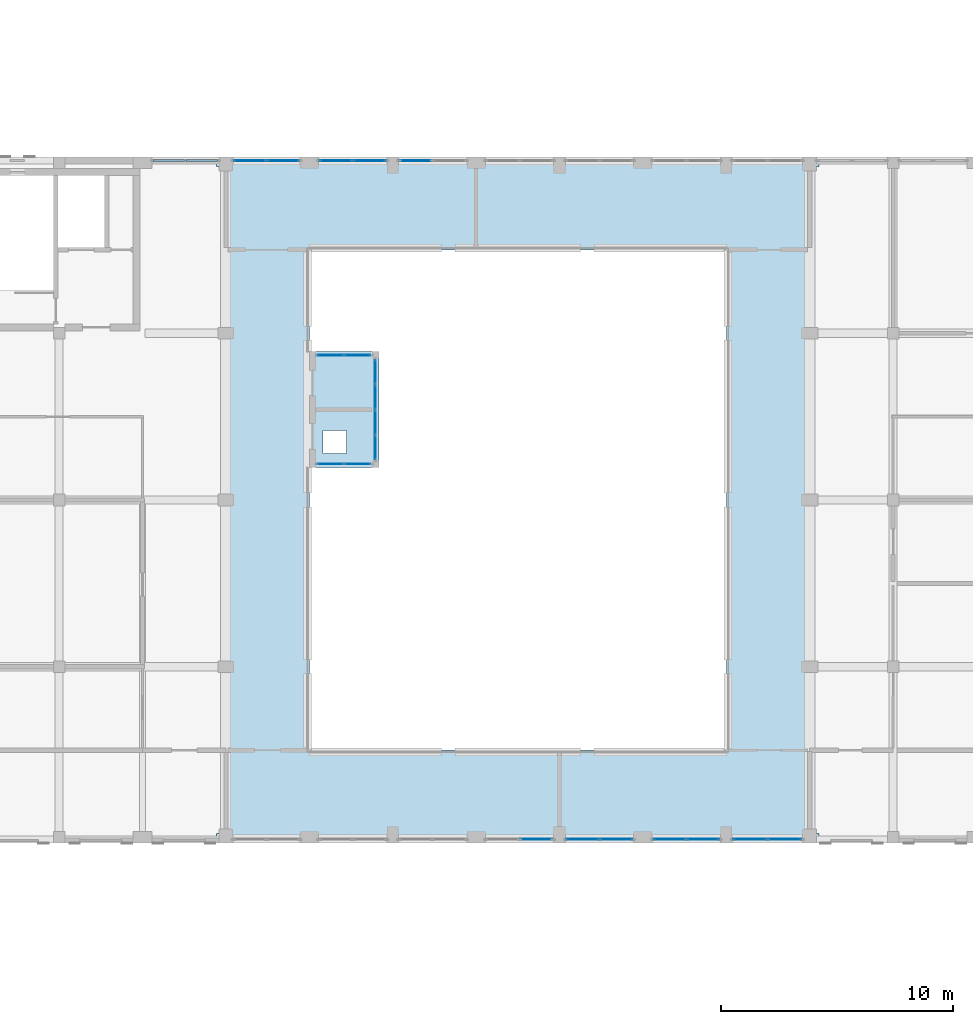
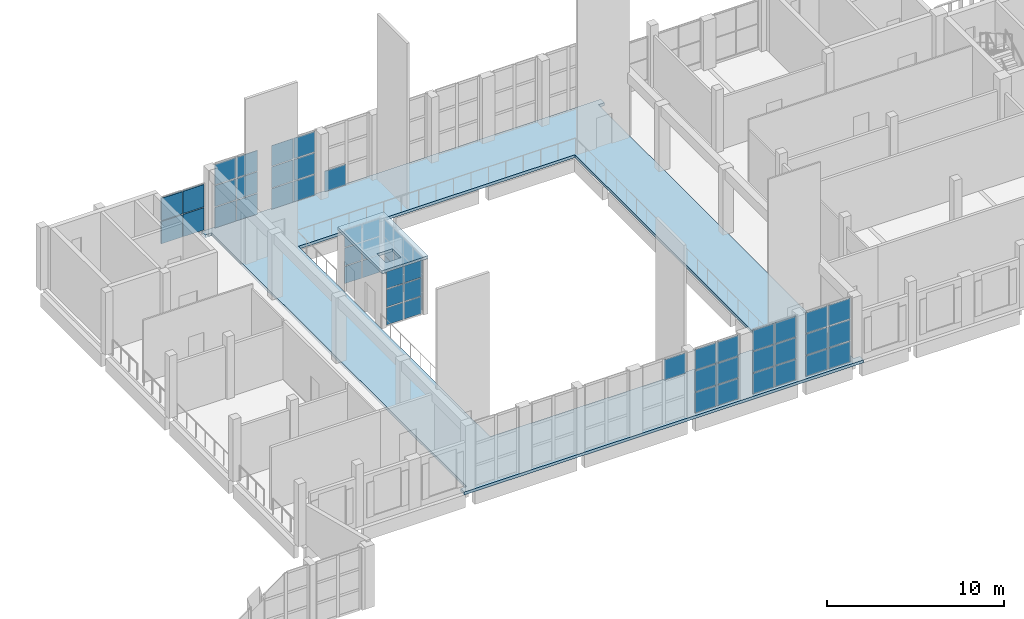
# One storey, part 15 of 54: 60 plates, 2 slabs, 11 elements without a shape of their own.
"""IFC4 building model written with IfcOpenShell, lengths in metres."""

from ifc_helpers import new_model, si_unit, direction, frame, origin, origin_2d, place, context, subcontext, project, spatial, polyline, rectangle, outline, extrude, material, layer, layer_set, type_object, element, aggregate, save


model = new_model("IFC4")

# Units and contexts
model_context = context("Model", 3, precision=1e-05, world=origin(), true_north=direction((0.0, 1.0)))
body_context = subcontext(model_context, "Body", "Model", "MODEL_VIEW")
ifc_project = project(units=[si_unit("LENGTHUNIT", "METRE"), si_unit("AREAUNIT", "SQUARE_METRE"), si_unit("VOLUMEUNIT", "CUBIC_METRE"), si_unit("PLANEANGLEUNIT", "RADIAN"), si_unit("MASSUNIT", "GRAM", prefix="KILO")], contexts=[model_context])

# Site, building, storey
site_placement = place(None, origin())
site = spatial("IfcSite", under=ifc_project, at=site_placement, CompositionType="ELEMENT")
building_placement = place(site_placement, origin())
building = spatial("IfcBuilding", under=site, at=building_placement, Name="Ussher Court Research Institute", CompositionType="ELEMENT")
storey_placement = place(building_placement, frame((0.0, 0.0, 14.39990234375)))
storey = spatial("IfcBuildingStorey", under=building, at=storey_placement, Name="L03", CompositionType="ELEMENT", Elevation=14.39990234375)

# Slab
ifc_material_1 = material(Name="Concrete C35/45", Category="concrete")
ifc_layer_1 = layer(ifc_material_1, 0.199951171875)
ifc_layer_set_1 = layer_set([ifc_layer_1], Name="Concrete C35/45")
slab_type_1 = type_object("IfcSlabType", Name="Core roof slab 200 RC", PredefinedType="ROOF", material=ifc_layer_set_1)
slab_1_placement = place(storey_placement, frame((0.0, 0.0, 3.800048828125)))
element("IfcSlab", 1, at=slab_1_placement, inside=storey, type_object=slab_type_1, Name="Lift overrun slab atrium", PredefinedType="ROOF", context=body_context, shape_type="SweptSolid", body=[
    extrude(outline(polyline([(42.60009765625, 27.0), (45.60009765625, 27.0), (45.60009765625, 32.0), (42.60009765625, 32.0), (42.60009765625, 27.0)]), holes=[polyline([(43.199951171875, 27.60009765625), (44.199951171875, 27.60009765625), (44.199951171875, 28.60009765625), (43.199951171875, 28.60009765625), (43.199951171875, 27.60009765625)])]), origin(), (0.0, 0.0, 1.0), 0.199951171875),
])

# Curtain wall, plates
ifc_material_2 = material(Name="Bronze anodised aluminium with fire-resisting glass", Category="aluminium")
ifc_layer_2 = layer(ifc_material_2, 0.1201171875)
ifc_layer_set_2 = layer_set([ifc_layer_2], Name="Bronze anodised aluminium with fire-resisting glass")
curtain_wall_type_1 = type_object("IfcCurtainWallType", Name="Curtain wall stair-side fire-resisting glazing", PredefinedType="NOTDEFINED", material=ifc_layer_set_2)
curtain_wall_1_placement = place(storey_placement, origin())
curtain_wall_1 = element("IfcCurtainWall", 2, at=curtain_wall_1_placement, inside=storey, type_object=curtain_wall_type_1, Name="Curtain wall CW13 L03", PredefinedType="NOTDEFINED")
ifc_material_3 = material(Name="Fire-resisting laminated glazed unit")
ifc_layer_3 = layer(ifc_material_3, 0.090087890625)
ifc_layer_set_3 = layer_set([ifc_layer_3], Name="Fire-resisting laminated glazed unit")
plate_type_1 = type_object("IfcPlateType", Name="Fire-resisting glazing panel EI 60 90 mm", PredefinedType="CURTAIN_PANEL", material=ifc_layer_set_3)
plate_1_placement = place(storey_placement, frame((36.5400390625, 40.25, 0.2099609375), z_axis=(0.0, 0.0, 1.0), x_axis=(1.0, 0.0, 0.0)))
plate_1 = element("IfcPlate", 3, at=plate_1_placement, type_object=plate_type_1, Name="CW13 panel 1.1", PredefinedType="CURTAIN_PANEL", context=body_context, shape_type="SweptSolid", body=[
    extrude(rectangle(XDim=1.360107421875, YDim=0.090087890625, at=origin_2d()), origin(), (0.0, 0.0, 1.0), 1.534912109375),
])
plate_2_placement = place(storey_placement, frame((36.5400390625, 40.25, 1.80517578125), z_axis=(0.0, 0.0, 1.0), x_axis=(1.0, 0.0, 0.0)))
plate_2 = element("IfcPlate", 4, at=plate_2_placement, type_object=plate_type_1, Name="CW13 panel 1.2", PredefinedType="CURTAIN_PANEL", context=body_context, shape_type="SweptSolid", body=[
    extrude(rectangle(XDim=1.360107421875, YDim=0.090087890625, at=origin_2d()), origin(), (0.0, 0.0, 1.0), 1.534912109375),
])
plate_3_placement = place(storey_placement, frame((37.9599609375, 40.25, 0.2099609375), z_axis=(0.0, 0.0, 1.0), x_axis=(1.0, 0.0, 0.0)))
plate_3 = element("IfcPlate", 5, at=plate_3_placement, type_object=plate_type_1, Name="CW13 panel 2.1", PredefinedType="CURTAIN_PANEL", context=body_context, shape_type="SweptSolid", body=[
    extrude(rectangle(XDim=1.360107421875, YDim=0.090087890625, at=origin_2d()), origin(), (0.0, 0.0, 1.0), 1.534912109375),
])
plate_4_placement = place(storey_placement, frame((37.9599609375, 40.25, 1.80517578125), z_axis=(0.0, 0.0, 1.0), x_axis=(1.0, 0.0, 0.0)))
plate_4 = element("IfcPlate", 6, at=plate_4_placement, type_object=plate_type_1, Name="CW13 panel 2.2", PredefinedType="CURTAIN_PANEL", context=body_context, shape_type="SweptSolid", body=[
    extrude(rectangle(XDim=1.360107421875, YDim=0.090087890625, at=origin_2d()), origin(), (0.0, 0.0, 1.0), 1.534912109375),
])
aggregate(curtain_wall_1, [plate_1, plate_2, plate_3, plate_4])

# Slab
ifc_material_4 = material(Name="Concrete C35/45", Category="concrete")
ifc_layer_4 = layer(ifc_material_4, 0.199951171875)
ifc_layer_set_4 = layer_set([ifc_layer_4], Name="Concrete C35/45")
slab_type_2 = type_object("IfcSlabType", Name="Floor slab 200", PredefinedType="FLOOR", material=ifc_layer_set_4)
slab_2_placement = place(storey_placement, frame((0.0, 0.0, -0.199951171875)))
element("IfcSlab", 7, at=slab_2_placement, inside=storey, type_object=slab_type_2, Name="FS200 V2 L03-01", PredefinedType="FLOOR", context=body_context, shape_type="SweptSolid", body=[
    extrude(outline(polyline([(39.0, 40.0), (39.0, 11.199951171875), (38.60009765625, 11.199951171875), (38.60009765625, 10.800048828125), (64.60009765625, 10.800048828125), (64.60009765625, 11.199951171875), (64.199951171875, 11.199951171875), (64.199951171875, 40.0), (64.60009765625, 40.0), (64.60009765625, 40.39990234375), (38.60009765625, 40.39990234375), (38.60009765625, 40.0), (39.0, 40.0)]), holes=[polyline([(42.60009765625, 36.39990234375), (60.60009765625, 36.39990234375), (60.60009765625, 14.800048828125), (42.60009765625, 14.800048828125), (42.60009765625, 36.39990234375)])]), origin(), (0.0, 0.0, 1.0), 0.199951171875),
])

# Curtain wall, plates
ifc_material_5 = material(Name="Bronze anodised aluminium with low-e glass", Category="aluminium")
ifc_layer_5 = layer(ifc_material_5, 0.1201171875)
ifc_layer_set_5 = layer_set([ifc_layer_5], Name="Bronze anodised aluminium with low-e glass")
curtain_wall_type_2 = type_object("IfcCurtainWallType", Name="Curtain wall atrium clear glazing", PredefinedType="NOTDEFINED", material=ifc_layer_set_5)
curtain_wall_2_placement = place(storey_placement, origin())
curtain_wall_2 = element("IfcCurtainWall", 8, at=curtain_wall_2_placement, inside=storey, type_object=curtain_wall_type_2, Name="Curtain wall CW2 lift shaft L03", PredefinedType="NOTDEFINED")
ifc_material_6 = material(Name="Double glazed unit")
ifc_layer_6 = layer(ifc_material_6, 0.028076171875)
ifc_layer_set_6 = layer_set([ifc_layer_6], Name="Double glazed unit")
plate_type_2 = type_object("IfcPlateType", Name="Glazing panel 28 mm", PredefinedType="CURTAIN_PANEL", material=ifc_layer_set_6)
plate_5_placement = place(storey_placement, frame((43.514892578125, 27.14990234375, 0.06005859375), z_axis=(0.0, 0.0, 1.0), x_axis=(1.0, 0.0, 0.0)))
plate_5 = element("IfcPlate", 9, at=plate_5_placement, type_object=plate_type_2, Name="CW2 panel 1.1", PredefinedType="CURTAIN_PANEL", context=body_context, shape_type="SweptSolid", body=[
    extrude(rectangle(XDim=1.110107421875, YDim=0.028076171875, at=origin_2d()), origin(), (0.0, 0.0, 1.0), 1.1767578125),
])
plate_6_placement = place(storey_placement, frame((43.514892578125, 27.14990234375, 1.296875), z_axis=(0.0, 0.0, 1.0), x_axis=(1.0, 0.0, 0.0)))
plate_6 = element("IfcPlate", 10, at=plate_6_placement, type_object=plate_type_2, Name="CW2 panel 1.2", PredefinedType="CURTAIN_PANEL", context=body_context, shape_type="SweptSolid", body=[
    extrude(rectangle(XDim=1.110107421875, YDim=0.028076171875, at=origin_2d()), origin(), (0.0, 0.0, 1.0), 1.20654296875),
])
plate_7_placement = place(storey_placement, frame((43.514892578125, 27.14990234375, 2.5634765625), z_axis=(0.0, 0.0, 1.0), x_axis=(1.0, 0.0, 0.0)))
plate_7 = element("IfcPlate", 11, at=plate_7_placement, type_object=plate_type_2, Name="CW2 panel 1.3", PredefinedType="CURTAIN_PANEL", context=body_context, shape_type="SweptSolid", body=[
    extrude(rectangle(XDim=1.110107421875, YDim=0.028076171875, at=origin_2d()), origin(), (0.0, 0.0, 1.0), 1.1767578125),
])
plate_8_placement = place(storey_placement, frame((44.68505859375, 27.14990234375, 0.06005859375), z_axis=(0.0, 0.0, 1.0), x_axis=(1.0, 0.0, 0.0)))
plate_8 = element("IfcPlate", 12, at=plate_8_placement, type_object=plate_type_2, Name="CW2 panel 2.1", PredefinedType="CURTAIN_PANEL", context=body_context, shape_type="SweptSolid", body=[
    extrude(rectangle(XDim=1.110107421875, YDim=0.028076171875, at=origin_2d()), origin(), (0.0, 0.0, 1.0), 1.1767578125),
])
plate_9_placement = place(storey_placement, frame((44.68505859375, 27.14990234375, 1.296875), z_axis=(0.0, 0.0, 1.0), x_axis=(1.0, 0.0, 0.0)))
plate_9 = element("IfcPlate", 13, at=plate_9_placement, type_object=plate_type_2, Name="CW2 panel 2.2", PredefinedType="CURTAIN_PANEL", context=body_context, shape_type="SweptSolid", body=[
    extrude(rectangle(XDim=1.110107421875, YDim=0.028076171875, at=origin_2d()), origin(), (0.0, 0.0, 1.0), 1.20654296875),
])
plate_10_placement = place(storey_placement, frame((44.68505859375, 27.14990234375, 2.5634765625), z_axis=(0.0, 0.0, 1.0), x_axis=(1.0, 0.0, 0.0)))
plate_10 = element("IfcPlate", 14, at=plate_10_placement, type_object=plate_type_2, Name="CW2 panel 2.3", PredefinedType="CURTAIN_PANEL", context=body_context, shape_type="SweptSolid", body=[
    extrude(rectangle(XDim=1.110107421875, YDim=0.028076171875, at=origin_2d()), origin(), (0.0, 0.0, 1.0), 1.1767578125),
])
aggregate(curtain_wall_2, [plate_5, plate_6, plate_7, plate_8, plate_9, plate_10])

curtain_wall_3_placement = place(storey_placement, origin())
curtain_wall_3 = element("IfcCurtainWall", 15, at=curtain_wall_3_placement, inside=storey, type_object=curtain_wall_type_2, Name="Curtain wall CW2 lift shaft L03", PredefinedType="NOTDEFINED")
plate_11_placement = place(storey_placement, frame((43.514892578125, 31.85009765625, 0.06005859375), z_axis=(0.0, 0.0, 1.0), x_axis=(1.0, 0.0, 0.0)))
plate_11 = element("IfcPlate", 16, at=plate_11_placement, type_object=plate_type_2, Name="CW2 panel 1.1", PredefinedType="CURTAIN_PANEL", context=body_context, shape_type="SweptSolid", body=[
    extrude(rectangle(XDim=1.110107421875, YDim=0.028076171875, at=origin_2d()), origin(), (0.0, 0.0, 1.0), 1.1767578125),
])
plate_12_placement = place(storey_placement, frame((43.514892578125, 31.85009765625, 1.296875), z_axis=(0.0, 0.0, 1.0), x_axis=(1.0, 0.0, 0.0)))
plate_12 = element("IfcPlate", 17, at=plate_12_placement, type_object=plate_type_2, Name="CW2 panel 1.2", PredefinedType="CURTAIN_PANEL", context=body_context, shape_type="SweptSolid", body=[
    extrude(rectangle(XDim=1.110107421875, YDim=0.028076171875, at=origin_2d()), origin(), (0.0, 0.0, 1.0), 1.20654296875),
])
plate_13_placement = place(storey_placement, frame((43.514892578125, 31.85009765625, 2.5634765625), z_axis=(0.0, 0.0, 1.0), x_axis=(1.0, 0.0, 0.0)))
plate_13 = element("IfcPlate", 18, at=plate_13_placement, type_object=plate_type_2, Name="CW2 panel 1.3", PredefinedType="CURTAIN_PANEL", context=body_context, shape_type="SweptSolid", body=[
    extrude(rectangle(XDim=1.110107421875, YDim=0.028076171875, at=origin_2d()), origin(), (0.0, 0.0, 1.0), 1.1767578125),
])
plate_14_placement = place(storey_placement, frame((44.68505859375, 31.85009765625, 0.06005859375), z_axis=(0.0, 0.0, 1.0), x_axis=(1.0, 0.0, 0.0)))
plate_14 = element("IfcPlate", 19, at=plate_14_placement, type_object=plate_type_2, Name="CW2 panel 2.1", PredefinedType="CURTAIN_PANEL", context=body_context, shape_type="SweptSolid", body=[
    extrude(rectangle(XDim=1.110107421875, YDim=0.028076171875, at=origin_2d()), origin(), (0.0, 0.0, 1.0), 1.1767578125),
])
plate_15_placement = place(storey_placement, frame((44.68505859375, 31.85009765625, 1.296875), z_axis=(0.0, 0.0, 1.0), x_axis=(1.0, 0.0, 0.0)))
plate_15 = element("IfcPlate", 20, at=plate_15_placement, type_object=plate_type_2, Name="CW2 panel 2.2", PredefinedType="CURTAIN_PANEL", context=body_context, shape_type="SweptSolid", body=[
    extrude(rectangle(XDim=1.110107421875, YDim=0.028076171875, at=origin_2d()), origin(), (0.0, 0.0, 1.0), 1.20654296875),
])
plate_16_placement = place(storey_placement, frame((44.68505859375, 31.85009765625, 2.5634765625), z_axis=(0.0, 0.0, 1.0), x_axis=(1.0, 0.0, 0.0)))
plate_16 = element("IfcPlate", 21, at=plate_16_placement, type_object=plate_type_2, Name="CW2 panel 2.3", PredefinedType="CURTAIN_PANEL", context=body_context, shape_type="SweptSolid", body=[
    extrude(rectangle(XDim=1.110107421875, YDim=0.028076171875, at=origin_2d()), origin(), (0.0, 0.0, 1.0), 1.1767578125),
])
aggregate(curtain_wall_3, [plate_11, plate_12, plate_13, plate_14, plate_15, plate_16])

curtain_wall_4_placement = place(storey_placement, origin())
curtain_wall_4 = element("IfcCurtainWall", 22, at=curtain_wall_4_placement, inside=storey, type_object=curtain_wall_type_2, Name="Curtain wall CW2 lift shaft L03", PredefinedType="NOTDEFINED")
plate_17_placement = place(storey_placement, frame((45.449951171875, 27.864990234375, 0.06005859375), z_axis=(0.0, 0.0, 1.0), x_axis=(0.0, 1.0, 0.0)))
plate_17 = element("IfcPlate", 23, at=plate_17_placement, type_object=plate_type_2, Name="CW2 panel 1.1", PredefinedType="CURTAIN_PANEL", context=body_context, shape_type="SweptSolid", body=[
    extrude(rectangle(XDim=1.010009765625, YDim=0.028076171875, at=origin_2d()), origin(), (0.0, 0.0, 1.0), 1.1767578125),
])
plate_18_placement = place(storey_placement, frame((45.449951171875, 27.864990234375, 1.296875), z_axis=(0.0, 0.0, 1.0), x_axis=(0.0, 1.0, 0.0)))
plate_18 = element("IfcPlate", 24, at=plate_18_placement, type_object=plate_type_2, Name="CW2 panel 1.2", PredefinedType="CURTAIN_PANEL", context=body_context, shape_type="SweptSolid", body=[
    extrude(rectangle(XDim=1.010009765625, YDim=0.028076171875, at=origin_2d()), origin(), (0.0, 0.0, 1.0), 1.20654296875),
])
plate_19_placement = place(storey_placement, frame((45.449951171875, 27.864990234375, 2.5634765625), z_axis=(0.0, 0.0, 1.0), x_axis=(0.0, 1.0, 0.0)))
plate_19 = element("IfcPlate", 25, at=plate_19_placement, type_object=plate_type_2, Name="CW2 panel 1.3", PredefinedType="CURTAIN_PANEL", context=body_context, shape_type="SweptSolid", body=[
    extrude(rectangle(XDim=1.010009765625, YDim=0.028076171875, at=origin_2d()), origin(), (0.0, 0.0, 1.0), 1.1767578125),
])
plate_20_placement = place(storey_placement, frame((45.449951171875, 28.949951171875, 0.06005859375), z_axis=(0.0, 0.0, 1.0), x_axis=(0.0, 1.0, 0.0)))
plate_20 = element("IfcPlate", 26, at=plate_20_placement, type_object=plate_type_2, Name="CW2 panel 2.1", PredefinedType="CURTAIN_PANEL", context=body_context, shape_type="SweptSolid", body=[
    extrude(rectangle(XDim=1.0400390625, YDim=0.028076171875, at=origin_2d()), origin(), (0.0, 0.0, 1.0), 1.1767578125),
])
plate_21_placement = place(storey_placement, frame((45.449951171875, 28.949951171875, 1.296875), z_axis=(0.0, 0.0, 1.0), x_axis=(0.0, 1.0, 0.0)))
plate_21 = element("IfcPlate", 27, at=plate_21_placement, type_object=plate_type_2, Name="CW2 panel 2.2", PredefinedType="CURTAIN_PANEL", context=body_context, shape_type="SweptSolid", body=[
    extrude(rectangle(XDim=1.0400390625, YDim=0.028076171875, at=origin_2d()), origin(), (0.0, 0.0, 1.0), 1.20654296875),
])
plate_22_placement = place(storey_placement, frame((45.449951171875, 28.949951171875, 2.5634765625), z_axis=(0.0, 0.0, 1.0), x_axis=(0.0, 1.0, 0.0)))
plate_22 = element("IfcPlate", 28, at=plate_22_placement, type_object=plate_type_2, Name="CW2 panel 2.3", PredefinedType="CURTAIN_PANEL", context=body_context, shape_type="SweptSolid", body=[
    extrude(rectangle(XDim=1.0400390625, YDim=0.028076171875, at=origin_2d()), origin(), (0.0, 0.0, 1.0), 1.1767578125),
])
plate_23_placement = place(storey_placement, frame((45.449951171875, 30.050048828125, 0.06005859375), z_axis=(0.0, 0.0, 1.0), x_axis=(0.0, 1.0, 0.0)))
plate_23 = element("IfcPlate", 29, at=plate_23_placement, type_object=plate_type_2, Name="CW2 panel 3.1", PredefinedType="CURTAIN_PANEL", context=body_context, shape_type="SweptSolid", body=[
    extrude(rectangle(XDim=1.0400390625, YDim=0.028076171875, at=origin_2d()), origin(), (0.0, 0.0, 1.0), 1.1767578125),
])
plate_24_placement = place(storey_placement, frame((45.449951171875, 30.050048828125, 1.296875), z_axis=(0.0, 0.0, 1.0), x_axis=(0.0, 1.0, 0.0)))
plate_24 = element("IfcPlate", 30, at=plate_24_placement, type_object=plate_type_2, Name="CW2 panel 3.2", PredefinedType="CURTAIN_PANEL", context=body_context, shape_type="SweptSolid", body=[
    extrude(rectangle(XDim=1.0400390625, YDim=0.028076171875, at=origin_2d()), origin(), (0.0, 0.0, 1.0), 1.20654296875),
])
plate_25_placement = place(storey_placement, frame((45.449951171875, 30.050048828125, 2.5634765625), z_axis=(0.0, 0.0, 1.0), x_axis=(0.0, 1.0, 0.0)))
plate_25 = element("IfcPlate", 31, at=plate_25_placement, type_object=plate_type_2, Name="CW2 panel 3.3", PredefinedType="CURTAIN_PANEL", context=body_context, shape_type="SweptSolid", body=[
    extrude(rectangle(XDim=1.0400390625, YDim=0.028076171875, at=origin_2d()), origin(), (0.0, 0.0, 1.0), 1.1767578125),
])
plate_26_placement = place(storey_placement, frame((45.449951171875, 31.135009765625, 0.06005859375), z_axis=(0.0, 0.0, 1.0), x_axis=(0.0, 1.0, 0.0)))
plate_26 = element("IfcPlate", 32, at=plate_26_placement, type_object=plate_type_2, Name="CW2 panel 4.1", PredefinedType="CURTAIN_PANEL", context=body_context, shape_type="SweptSolid", body=[
    extrude(rectangle(XDim=1.010009765625, YDim=0.028076171875, at=origin_2d()), origin(), (0.0, 0.0, 1.0), 1.1767578125),
])
plate_27_placement = place(storey_placement, frame((45.449951171875, 31.135009765625, 1.296875), z_axis=(0.0, 0.0, 1.0), x_axis=(0.0, 1.0, 0.0)))
plate_27 = element("IfcPlate", 33, at=plate_27_placement, type_object=plate_type_2, Name="CW2 panel 4.2", PredefinedType="CURTAIN_PANEL", context=body_context, shape_type="SweptSolid", body=[
    extrude(rectangle(XDim=1.010009765625, YDim=0.028076171875, at=origin_2d()), origin(), (0.0, 0.0, 1.0), 1.20654296875),
])
plate_28_placement = place(storey_placement, frame((45.449951171875, 31.135009765625, 2.5634765625), z_axis=(0.0, 0.0, 1.0), x_axis=(0.0, 1.0, 0.0)))
plate_28 = element("IfcPlate", 34, at=plate_28_placement, type_object=plate_type_2, Name="CW2 panel 4.3", PredefinedType="CURTAIN_PANEL", context=body_context, shape_type="SweptSolid", body=[
    extrude(rectangle(XDim=1.010009765625, YDim=0.028076171875, at=origin_2d()), origin(), (0.0, 0.0, 1.0), 1.1767578125),
])
aggregate(curtain_wall_4, [plate_17, plate_18, plate_19, plate_20, plate_21, plate_22, plate_23, plate_24, plate_25, plate_26, plate_27, plate_28])

ifc_material_7 = material(Name="Bronze anodised aluminium with low-e glass", Category="aluminium")
ifc_layer_7 = layer(ifc_material_7, 0.159912109375)
ifc_layer_set_7 = layer_set([ifc_layer_7], Name="Bronze anodised aluminium with low-e glass")
curtain_wall_type_3 = type_object("IfcCurtainWallType", Name="Curtain wall atrium clerestory tall glazing", PredefinedType="NOTDEFINED", material=ifc_layer_set_7)
curtain_wall_5_placement = place(storey_placement, origin())
curtain_wall_5 = element("IfcCurtainWall", 35, at=curtain_wall_5_placement, inside=storey, type_object=curtain_wall_type_3, Name="Curtain wall CW3 L03", PredefinedType="NOTDEFINED")
ifc_material_8 = material(Name="Double glazed unit laminated")
ifc_layer_8 = layer(ifc_material_8, 0.035888671875)
ifc_layer_set_8 = layer_set([ifc_layer_8], Name="Double glazed unit laminated")
plate_type_3 = type_object("IfcPlateType", Name="Glazing panel 36 mm", PredefinedType="CURTAIN_PANEL", material=ifc_layer_set_8)
plate_29_placement = place(storey_placement, frame((40.0400390625, 40.25, 0.06005859375), z_axis=(0.0, 0.0, 1.0), x_axis=(1.0, 0.0, 0.0)))
plate_29 = element("IfcPlate", 36, at=plate_29_placement, type_object=plate_type_3, Name="CW3 panel 1.1", PredefinedType="CURTAIN_PANEL", context=body_context, shape_type="SweptSolid", body=[
    extrude(rectangle(XDim=1.360107421875, YDim=0.035888671875, at=origin_2d()), origin(), (0.0, 0.0, 1.0), 1.409912109375),
])
plate_30_placement = place(storey_placement, frame((40.0400390625, 40.25, 1.530029296875), z_axis=(0.0, 0.0, 1.0), x_axis=(1.0, 0.0, 0.0)))
plate_30 = element("IfcPlate", 37, at=plate_30_placement, type_object=plate_type_3, Name="CW3 panel 1.2", PredefinedType="CURTAIN_PANEL", context=body_context, shape_type="SweptSolid", body=[
    extrude(rectangle(XDim=1.360107421875, YDim=0.035888671875, at=origin_2d()), origin(), (0.0, 0.0, 1.0), 1.43994140625),
])
plate_31_placement = place(storey_placement, frame((40.0400390625, 40.25, 3.0302734375), z_axis=(0.0, 0.0, 1.0), x_axis=(1.0, 0.0, 0.0)))
plate_31 = element("IfcPlate", 38, at=plate_31_placement, type_object=plate_type_3, Name="CW3 panel 1.3", PredefinedType="CURTAIN_PANEL", context=body_context, shape_type="SweptSolid", body=[
    extrude(rectangle(XDim=1.360107421875, YDim=0.035888671875, at=origin_2d()), origin(), (0.0, 0.0, 1.0), 1.409912109375),
])
plate_32_placement = place(storey_placement, frame((41.4599609375, 40.25, 0.06005859375), z_axis=(0.0, 0.0, 1.0), x_axis=(1.0, 0.0, 0.0)))
plate_32 = element("IfcPlate", 39, at=plate_32_placement, type_object=plate_type_3, Name="CW3 panel 2.1", PredefinedType="CURTAIN_PANEL", context=body_context, shape_type="SweptSolid", body=[
    extrude(rectangle(XDim=1.360107421875, YDim=0.035888671875, at=origin_2d()), origin(), (0.0, 0.0, 1.0), 1.409912109375),
])
plate_33_placement = place(storey_placement, frame((41.4599609375, 40.25, 1.530029296875), z_axis=(0.0, 0.0, 1.0), x_axis=(1.0, 0.0, 0.0)))
plate_33 = element("IfcPlate", 40, at=plate_33_placement, type_object=plate_type_3, Name="CW3 panel 2.2", PredefinedType="CURTAIN_PANEL", context=body_context, shape_type="SweptSolid", body=[
    extrude(rectangle(XDim=1.360107421875, YDim=0.035888671875, at=origin_2d()), origin(), (0.0, 0.0, 1.0), 1.43994140625),
])
plate_34_placement = place(storey_placement, frame((41.4599609375, 40.25, 3.0302734375), z_axis=(0.0, 0.0, 1.0), x_axis=(1.0, 0.0, 0.0)))
plate_34 = element("IfcPlate", 41, at=plate_34_placement, type_object=plate_type_3, Name="CW3 panel 2.3", PredefinedType="CURTAIN_PANEL", context=body_context, shape_type="SweptSolid", body=[
    extrude(rectangle(XDim=1.360107421875, YDim=0.035888671875, at=origin_2d()), origin(), (0.0, 0.0, 1.0), 1.409912109375),
])
aggregate(curtain_wall_5, [plate_29, plate_30, plate_31, plate_32, plate_33, plate_34])

curtain_wall_6_placement = place(storey_placement, origin())
curtain_wall_6 = element("IfcCurtainWall", 42, at=curtain_wall_6_placement, inside=storey, type_object=curtain_wall_type_3, Name="Curtain wall CW3 L03", PredefinedType="NOTDEFINED")
plate_35_placement = place(storey_placement, frame((43.75244140625, 40.25, 0.06005859375), z_axis=(0.0, 0.0, 1.0), x_axis=(1.0, 0.0, 0.0)))
plate_35 = element("IfcPlate", 43, at=plate_35_placement, type_object=plate_type_3, Name="CW3 panel 1.1", PredefinedType="CURTAIN_PANEL", context=body_context, shape_type="SweptSolid", body=[
    extrude(rectangle(XDim=1.385009765625, YDim=0.035888671875, at=origin_2d()), origin(), (0.0, 0.0, 1.0), 1.409912109375),
])
plate_36_placement = place(storey_placement, frame((43.75244140625, 40.25, 1.530029296875), z_axis=(0.0, 0.0, 1.0), x_axis=(1.0, 0.0, 0.0)))
plate_36 = element("IfcPlate", 44, at=plate_36_placement, type_object=plate_type_3, Name="CW3 panel 1.2", PredefinedType="CURTAIN_PANEL", context=body_context, shape_type="SweptSolid", body=[
    extrude(rectangle(XDim=1.385009765625, YDim=0.035888671875, at=origin_2d()), origin(), (0.0, 0.0, 1.0), 1.43994140625),
])
plate_37_placement = place(storey_placement, frame((43.75244140625, 40.25, 3.0302734375), z_axis=(0.0, 0.0, 1.0), x_axis=(1.0, 0.0, 0.0)))
plate_37 = element("IfcPlate", 45, at=plate_37_placement, type_object=plate_type_3, Name="CW3 panel 1.3", PredefinedType="CURTAIN_PANEL", context=body_context, shape_type="SweptSolid", body=[
    extrude(rectangle(XDim=1.385009765625, YDim=0.035888671875, at=origin_2d()), origin(), (0.0, 0.0, 1.0), 1.409912109375),
])
plate_38_placement = place(storey_placement, frame((45.197509765625, 40.25, 0.06005859375), z_axis=(0.0, 0.0, 1.0), x_axis=(1.0, 0.0, 0.0)))
plate_38 = element("IfcPlate", 46, at=plate_38_placement, type_object=plate_type_3, Name="CW3 panel 2.1", PredefinedType="CURTAIN_PANEL", context=body_context, shape_type="SweptSolid", body=[
    extrude(rectangle(XDim=1.385009765625, YDim=0.035888671875, at=origin_2d()), origin(), (0.0, 0.0, 1.0), 1.409912109375),
])
plate_39_placement = place(storey_placement, frame((45.197509765625, 40.25, 1.530029296875), z_axis=(0.0, 0.0, 1.0), x_axis=(1.0, 0.0, 0.0)))
plate_39 = element("IfcPlate", 47, at=plate_39_placement, type_object=plate_type_3, Name="CW3 panel 2.2", PredefinedType="CURTAIN_PANEL", context=body_context, shape_type="SweptSolid", body=[
    extrude(rectangle(XDim=1.385009765625, YDim=0.035888671875, at=origin_2d()), origin(), (0.0, 0.0, 1.0), 1.43994140625),
])
plate_40_placement = place(storey_placement, frame((45.197509765625, 40.25, 3.0302734375), z_axis=(0.0, 0.0, 1.0), x_axis=(1.0, 0.0, 0.0)))
plate_40 = element("IfcPlate", 48, at=plate_40_placement, type_object=plate_type_3, Name="CW3 panel 2.3", PredefinedType="CURTAIN_PANEL", context=body_context, shape_type="SweptSolid", body=[
    extrude(rectangle(XDim=1.385009765625, YDim=0.035888671875, at=origin_2d()), origin(), (0.0, 0.0, 1.0), 1.409912109375),
])
aggregate(curtain_wall_6, [plate_35, plate_36, plate_37, plate_38, plate_39, plate_40])

# Curtain wall, plate
curtain_wall_7_placement = place(storey_placement, origin())
curtain_wall_7 = element("IfcCurtainWall", 49, at=curtain_wall_7_placement, inside=storey, type_object=curtain_wall_type_3, Name="Curtain wall CW3 L03", PredefinedType="NOTDEFINED")
plate_41_placement = place(storey_placement, frame((47.202392578125, 40.25, 0.06005859375), z_axis=(0.0, 0.0, 1.0), x_axis=(1.0, 0.0, 0.0)))
plate_41 = element("IfcPlate", 50, at=plate_41_placement, type_object=plate_type_3, Name="CW3 panel 1.1", PredefinedType="CURTAIN_PANEL", context=body_context, shape_type="SweptSolid", body=[
    extrude(rectangle(XDim=1.385009765625, YDim=0.035888671875, at=origin_2d()), origin(), (0.0, 0.0, 1.0), 1.409912109375),
])
aggregate(curtain_wall_7, [plate_41])

# Curtain wall, plates
curtain_wall_8_placement = place(storey_placement, origin())
curtain_wall_8 = element("IfcCurtainWall", 51, at=curtain_wall_8_placement, inside=storey, type_object=curtain_wall_type_3, Name="Curtain wall CW3 L03", PredefinedType="NOTDEFINED")
plate_42_placement = place(storey_placement, frame((63.12255859375, 10.949951171875, 0.06005859375), z_axis=(0.0, 0.0, 1.0), x_axis=(-1.0, 0.0, 0.0)))
plate_42 = element("IfcPlate", 52, at=plate_42_placement, type_object=plate_type_3, Name="CW3 panel 1.1", PredefinedType="CURTAIN_PANEL", context=body_context, shape_type="SweptSolid", body=[
    extrude(rectangle(XDim=1.43505859375, YDim=0.035888671875, at=origin_2d()), origin(), (0.0, 0.0, 1.0), 1.409912109375),
])
plate_43_placement = place(storey_placement, frame((63.12255859375, 10.949951171875, 1.530029296875), z_axis=(0.0, 0.0, 1.0), x_axis=(-1.0, 0.0, 0.0)))
plate_43 = element("IfcPlate", 53, at=plate_43_placement, type_object=plate_type_3, Name="CW3 panel 1.2", PredefinedType="CURTAIN_PANEL", context=body_context, shape_type="SweptSolid", body=[
    extrude(rectangle(XDim=1.43505859375, YDim=0.035888671875, at=origin_2d()), origin(), (0.0, 0.0, 1.0), 1.43994140625),
])
plate_44_placement = place(storey_placement, frame((63.12255859375, 10.949951171875, 3.0302734375), z_axis=(0.0, 0.0, 1.0), x_axis=(-1.0, 0.0, 0.0)))
plate_44 = element("IfcPlate", 54, at=plate_44_placement, type_object=plate_type_3, Name="CW3 panel 1.3", PredefinedType="CURTAIN_PANEL", context=body_context, shape_type="SweptSolid", body=[
    extrude(rectangle(XDim=1.43505859375, YDim=0.035888671875, at=origin_2d()), origin(), (0.0, 0.0, 1.0), 1.409912109375),
])
plate_45_placement = place(storey_placement, frame((61.62744140625, 10.949951171875, 0.06005859375), z_axis=(0.0, 0.0, 1.0), x_axis=(-1.0, 0.0, 0.0)))
plate_45 = element("IfcPlate", 55, at=plate_45_placement, type_object=plate_type_3, Name="CW3 panel 2.1", PredefinedType="CURTAIN_PANEL", context=body_context, shape_type="SweptSolid", body=[
    extrude(rectangle(XDim=1.43505859375, YDim=0.035888671875, at=origin_2d()), origin(), (0.0, 0.0, 1.0), 1.409912109375),
])
plate_46_placement = place(storey_placement, frame((61.62744140625, 10.949951171875, 1.530029296875), z_axis=(0.0, 0.0, 1.0), x_axis=(-1.0, 0.0, 0.0)))
plate_46 = element("IfcPlate", 56, at=plate_46_placement, type_object=plate_type_3, Name="CW3 panel 2.2", PredefinedType="CURTAIN_PANEL", context=body_context, shape_type="SweptSolid", body=[
    extrude(rectangle(XDim=1.43505859375, YDim=0.035888671875, at=origin_2d()), origin(), (0.0, 0.0, 1.0), 1.43994140625),
])
plate_47_placement = place(storey_placement, frame((61.62744140625, 10.949951171875, 3.0302734375), z_axis=(0.0, 0.0, 1.0), x_axis=(-1.0, 0.0, 0.0)))
plate_47 = element("IfcPlate", 57, at=plate_47_placement, type_object=plate_type_3, Name="CW3 panel 2.3", PredefinedType="CURTAIN_PANEL", context=body_context, shape_type="SweptSolid", body=[
    extrude(rectangle(XDim=1.43505859375, YDim=0.035888671875, at=origin_2d()), origin(), (0.0, 0.0, 1.0), 1.409912109375),
])
aggregate(curtain_wall_8, [plate_42, plate_43, plate_44, plate_45, plate_46, plate_47])

curtain_wall_9_placement = place(storey_placement, origin())
curtain_wall_9 = element("IfcCurtainWall", 58, at=curtain_wall_9_placement, inside=storey, type_object=curtain_wall_type_3, Name="Curtain wall CW3 L03", PredefinedType="NOTDEFINED")
plate_48_placement = place(storey_placement, frame((59.597412109375, 10.949951171875, 0.06005859375), z_axis=(0.0, 0.0, 1.0), x_axis=(-1.0, 0.0, 0.0)))
plate_48 = element("IfcPlate", 59, at=plate_48_placement, type_object=plate_type_3, Name="CW3 panel 1.1", PredefinedType="CURTAIN_PANEL", context=body_context, shape_type="SweptSolid", body=[
    extrude(rectangle(XDim=1.385009765625, YDim=0.035888671875, at=origin_2d()), origin(), (0.0, 0.0, 1.0), 1.409912109375),
])
plate_49_placement = place(storey_placement, frame((59.597412109375, 10.949951171875, 1.530029296875), z_axis=(0.0, 0.0, 1.0), x_axis=(-1.0, 0.0, 0.0)))
plate_49 = element("IfcPlate", 60, at=plate_49_placement, type_object=plate_type_3, Name="CW3 panel 1.2", PredefinedType="CURTAIN_PANEL", context=body_context, shape_type="SweptSolid", body=[
    extrude(rectangle(XDim=1.385009765625, YDim=0.035888671875, at=origin_2d()), origin(), (0.0, 0.0, 1.0), 1.43994140625),
])
plate_50_placement = place(storey_placement, frame((59.597412109375, 10.949951171875, 3.0302734375), z_axis=(0.0, 0.0, 1.0), x_axis=(-1.0, 0.0, 0.0)))
plate_50 = element("IfcPlate", 61, at=plate_50_placement, type_object=plate_type_3, Name="CW3 panel 1.3", PredefinedType="CURTAIN_PANEL", context=body_context, shape_type="SweptSolid", body=[
    extrude(rectangle(XDim=1.385009765625, YDim=0.035888671875, at=origin_2d()), origin(), (0.0, 0.0, 1.0), 1.409912109375),
])
plate_51_placement = place(storey_placement, frame((58.152587890625, 10.949951171875, 0.06005859375), z_axis=(0.0, 0.0, 1.0), x_axis=(-1.0, 0.0, 0.0)))
plate_51 = element("IfcPlate", 62, at=plate_51_placement, type_object=plate_type_3, Name="CW3 panel 2.1", PredefinedType="CURTAIN_PANEL", context=body_context, shape_type="SweptSolid", body=[
    extrude(rectangle(XDim=1.385009765625, YDim=0.035888671875, at=origin_2d()), origin(), (0.0, 0.0, 1.0), 1.409912109375),
])
plate_52_placement = place(storey_placement, frame((58.152587890625, 10.949951171875, 1.530029296875), z_axis=(0.0, 0.0, 1.0), x_axis=(-1.0, 0.0, 0.0)))
plate_52 = element("IfcPlate", 63, at=plate_52_placement, type_object=plate_type_3, Name="CW3 panel 2.2", PredefinedType="CURTAIN_PANEL", context=body_context, shape_type="SweptSolid", body=[
    extrude(rectangle(XDim=1.385009765625, YDim=0.035888671875, at=origin_2d()), origin(), (0.0, 0.0, 1.0), 1.43994140625),
])
plate_53_placement = place(storey_placement, frame((58.152587890625, 10.949951171875, 3.0302734375), z_axis=(0.0, 0.0, 1.0), x_axis=(-1.0, 0.0, 0.0)))
plate_53 = element("IfcPlate", 64, at=plate_53_placement, type_object=plate_type_3, Name="CW3 panel 2.3", PredefinedType="CURTAIN_PANEL", context=body_context, shape_type="SweptSolid", body=[
    extrude(rectangle(XDim=1.385009765625, YDim=0.035888671875, at=origin_2d()), origin(), (0.0, 0.0, 1.0), 1.409912109375),
])
aggregate(curtain_wall_9, [plate_48, plate_49, plate_50, plate_51, plate_52, plate_53])

curtain_wall_10_placement = place(storey_placement, origin())
curtain_wall_10 = element("IfcCurtainWall", 65, at=curtain_wall_10_placement, inside=storey, type_object=curtain_wall_type_3, Name="Curtain wall CW3 L03", PredefinedType="NOTDEFINED")
plate_54_placement = place(storey_placement, frame((55.847412109375, 10.949951171875, 0.06005859375), z_axis=(0.0, 0.0, 1.0), x_axis=(-1.0, 0.0, 0.0)))
plate_54 = element("IfcPlate", 66, at=plate_54_placement, type_object=plate_type_3, Name="CW3 panel 1.1", PredefinedType="CURTAIN_PANEL", context=body_context, shape_type="SweptSolid", body=[
    extrude(rectangle(XDim=1.385009765625, YDim=0.035888671875, at=origin_2d()), origin(), (0.0, 0.0, 1.0), 1.409912109375),
])
plate_55_placement = place(storey_placement, frame((55.847412109375, 10.949951171875, 1.530029296875), z_axis=(0.0, 0.0, 1.0), x_axis=(-1.0, 0.0, 0.0)))
plate_55 = element("IfcPlate", 67, at=plate_55_placement, type_object=plate_type_3, Name="CW3 panel 1.2", PredefinedType="CURTAIN_PANEL", context=body_context, shape_type="SweptSolid", body=[
    extrude(rectangle(XDim=1.385009765625, YDim=0.035888671875, at=origin_2d()), origin(), (0.0, 0.0, 1.0), 1.43994140625),
])
plate_56_placement = place(storey_placement, frame((55.847412109375, 10.949951171875, 3.0302734375), z_axis=(0.0, 0.0, 1.0), x_axis=(-1.0, 0.0, 0.0)))
plate_56 = element("IfcPlate", 68, at=plate_56_placement, type_object=plate_type_3, Name="CW3 panel 1.3", PredefinedType="CURTAIN_PANEL", context=body_context, shape_type="SweptSolid", body=[
    extrude(rectangle(XDim=1.385009765625, YDim=0.035888671875, at=origin_2d()), origin(), (0.0, 0.0, 1.0), 1.409912109375),
])
plate_57_placement = place(storey_placement, frame((54.402587890625, 10.949951171875, 0.06005859375), z_axis=(0.0, 0.0, 1.0), x_axis=(-1.0, 0.0, 0.0)))
plate_57 = element("IfcPlate", 69, at=plate_57_placement, type_object=plate_type_3, Name="CW3 panel 2.1", PredefinedType="CURTAIN_PANEL", context=body_context, shape_type="SweptSolid", body=[
    extrude(rectangle(XDim=1.385009765625, YDim=0.035888671875, at=origin_2d()), origin(), (0.0, 0.0, 1.0), 1.409912109375),
])
plate_58_placement = place(storey_placement, frame((54.402587890625, 10.949951171875, 1.530029296875), z_axis=(0.0, 0.0, 1.0), x_axis=(-1.0, 0.0, 0.0)))
plate_58 = element("IfcPlate", 70, at=plate_58_placement, type_object=plate_type_3, Name="CW3 panel 2.2", PredefinedType="CURTAIN_PANEL", context=body_context, shape_type="SweptSolid", body=[
    extrude(rectangle(XDim=1.385009765625, YDim=0.035888671875, at=origin_2d()), origin(), (0.0, 0.0, 1.0), 1.43994140625),
])
plate_59_placement = place(storey_placement, frame((54.402587890625, 10.949951171875, 3.0302734375), z_axis=(0.0, 0.0, 1.0), x_axis=(-1.0, 0.0, 0.0)))
plate_59 = element("IfcPlate", 71, at=plate_59_placement, type_object=plate_type_3, Name="CW3 panel 2.3", PredefinedType="CURTAIN_PANEL", context=body_context, shape_type="SweptSolid", body=[
    extrude(rectangle(XDim=1.385009765625, YDim=0.035888671875, at=origin_2d()), origin(), (0.0, 0.0, 1.0), 1.409912109375),
])
aggregate(curtain_wall_10, [plate_54, plate_55, plate_56, plate_57, plate_58, plate_59])

# Curtain wall, plate
curtain_wall_11_placement = place(storey_placement, origin())
curtain_wall_11 = element("IfcCurtainWall", 72, at=curtain_wall_11_placement, inside=storey, type_object=curtain_wall_type_3, Name="Curtain wall CW3 L03", PredefinedType="NOTDEFINED")
plate_60_placement = place(storey_placement, frame((52.3974609375, 10.949951171875, 3.0302734375), z_axis=(0.0, 0.0, 1.0), x_axis=(-1.0, 0.0, 0.0)))
plate_60 = element("IfcPlate", 73, at=plate_60_placement, type_object=plate_type_3, Name="CW3 panel 1.3", PredefinedType="CURTAIN_PANEL", context=body_context, shape_type="SweptSolid", body=[
    extrude(rectangle(XDim=1.385009765625, YDim=0.035888671875, at=origin_2d()), origin(), (0.0, 0.0, 1.0), 1.409912109375),
])
aggregate(curtain_wall_11, [plate_60])

save(model, "model.ifc")
